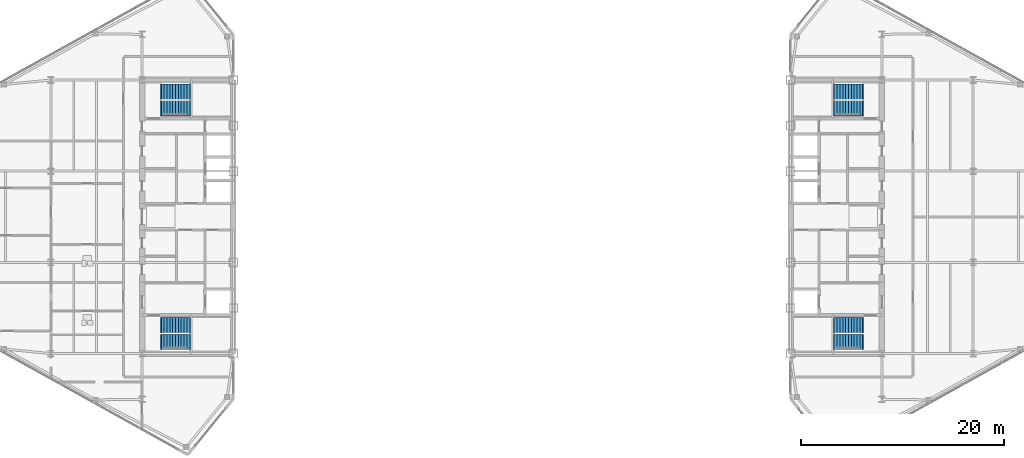
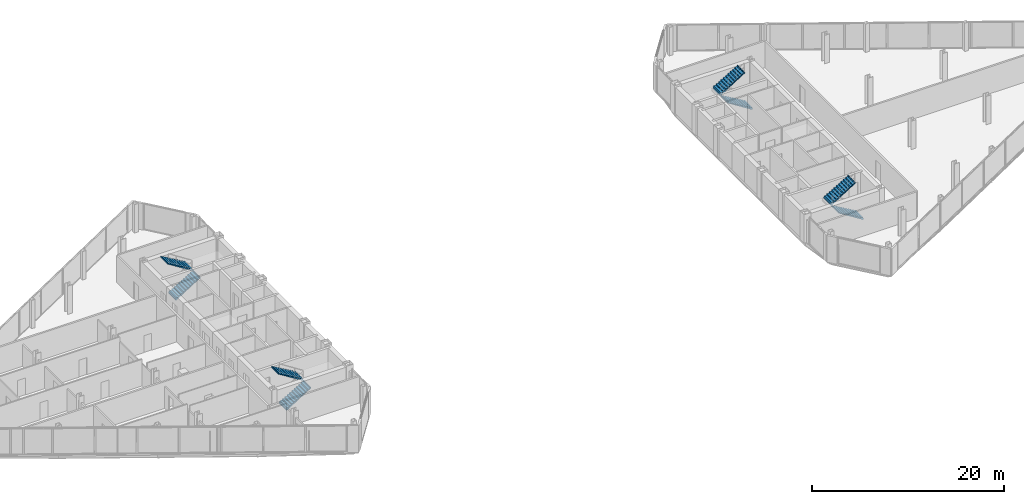
# One storey, part 24 of 26: 8 stair flights, 4 elements without a shape of their own.
"""IFC4 building model written with IfcOpenShell, lengths in metres."""

import ifcopenshell
import ifcopenshell.guid

model = None  # the IFC model being written
_history = None  # IfcOwnerHistory: only IFC2X3 demands one
_inside = {}  # id of a spatial element -> (the spatial element, [elements in it])
_under = {}  # id of a project, library or spatial element -> (it, [spatial elements below it])
_declared = {}  # id of a project -> (the project, [libraries it declares])
_typed = {}  # id of a type object -> (the type object, [elements of that type])
_made_of = {}  # id of a material, layer set ... -> (it, [elements and type objects made of it])


def new_model(schema):
    """Start an empty IFC model of exactly this schema.

    Asked for "IFC4X3", IfcOpenShell would pick the latest addendum, in which some entities
    have other attributes; the version numbers below select the first issue.
    IFC2X3 requires an IfcOwnerHistory on every rooted entity: one is made here for all.
    """
    global model, _history
    if schema == "IFC4X3":
        model = ifcopenshell.file(schema_version=(4, 3, 0, 0))
    else:
        model = ifcopenshell.file(schema=schema)
    _inside.clear()
    _under.clear()
    _declared.clear()
    _typed.clear()
    _made_of.clear()
    _history = None
    if model.schema == "IFC2X3":
        org = make("IfcOrganization", Name="unknown")
        user = make(
            "IfcPersonAndOrganization",
            ThePerson=make("IfcPerson", FamilyName="unknown"),
            TheOrganization=org,
        )
        app = make(
            "IfcApplication",
            ApplicationDeveloper=org,
            Version="unknown",
            ApplicationFullName="unknown",
            ApplicationIdentifier="unknown",
        )
        _history = make(
            "IfcOwnerHistory",
            OwningUser=user,
            OwningApplication=app,
            ChangeAction="ADDED",
            CreationDate=0,
        )
    return model


def make(cls, **values):
    """One entity of the class cls with the attributes given. An attribute that is None is left unset."""
    return model.create_entity(
        cls, **{name: value for name, value in values.items() if value is not None}
    )


def rooted(cls, **values):
    """An entity with a GlobalId (a new one), such as an element, a storey or a relation."""
    return make(cls, GlobalId=ifcopenshell.guid.new(), OwnerHistory=_history, **values)


def si_unit(unit_type, name, prefix=None):
    """IfcSIUnit, for example si_unit("LENGTHUNIT", "METRE", prefix="MILLI")."""
    return make("IfcSIUnit", UnitType=unit_type, Prefix=prefix, Name=name)


def assignment(units):
    """IfcUnitAssignment: the units of a project."""
    return None if units is None else make("IfcUnitAssignment", Units=units)


def point(xyz):
    """IfcCartesianPoint."""
    return None if xyz is None else make("IfcCartesianPoint", Coordinates=xyz)


def direction(xyz):
    """IfcDirection."""
    return None if xyz is None else make("IfcDirection", DirectionRatios=xyz)


def frame(location, z_axis=None, x_axis=None):
    """IfcAxis2Placement3D, a coordinate frame: its origin and axes. An axis left out is left unset."""
    return make(
        "IfcAxis2Placement3D",
        Location=point(location),
        Axis=direction(z_axis),
        RefDirection=direction(x_axis),
    )


def origin():
    """The frame at (0, 0, 0) with its axes left unset."""
    return frame((0.0, 0.0, 0.0))


def place(relative_to, where):
    """IfcLocalPlacement: puts the frame where relative to a parent placement (None: the world)."""
    return make(
        "IfcLocalPlacement", PlacementRelTo=relative_to, RelativePlacement=where
    )


def context(
    kind, dimensions, precision=None, world=None, true_north=None, identifier=None
):
    """IfcGeometricRepresentationContext, for example the 3D "Model" context."""
    return make(
        "IfcGeometricRepresentationContext",
        ContextIdentifier=identifier,
        ContextType=kind,
        CoordinateSpaceDimension=dimensions,
        Precision=precision,
        WorldCoordinateSystem=world,
        TrueNorth=true_north,
    )


def subcontext(parent, identifier, kind, view, scale=None):
    """IfcGeometricRepresentationSubContext, for example "Body" below "Model"."""
    return make(
        "IfcGeometricRepresentationSubContext",
        ContextIdentifier=identifier,
        ContextType=kind,
        ParentContext=parent,
        TargetScale=scale,
        TargetView=view,
    )


def project(units=None, contexts=None):
    """IfcProject with its units and contexts."""
    return rooted(
        "IfcProject",
        Name="project",
        RepresentationContexts=contexts,
        UnitsInContext=assignment(units),
    )


def spatial(cls, under=None, at=None, **own):
    """A site, building, storey or space (cls), placed at a placement, below another one or the project."""
    s = rooted(cls, ObjectPlacement=at, **own)
    if under is not None:
        _under.setdefault(under.id(), (under, []))[1].append(s)
    return s


def polyline(points):
    """IfcPolyline through the points."""
    return make("IfcPolyline", Points=[point(p) for p in points])


def outline(outer, holes=None, kind="AREA"):
    """IfcArbitraryClosedProfileDef: a profile drawn as a closed curve; with holes, ...WithVoids."""
    if holes is None:
        return make("IfcArbitraryClosedProfileDef", ProfileType=kind, OuterCurve=outer)
    return make(
        "IfcArbitraryProfileDefWithVoids",
        ProfileType=kind,
        OuterCurve=outer,
        InnerCurves=holes,
    )


def extrude(swept, where, along, depth):
    """IfcExtrudedAreaSolid: the profile swept, set in the frame where, extruded along a direction by depth."""
    return make(
        "IfcExtrudedAreaSolid",
        SweptArea=swept,
        Position=where,
        ExtrudedDirection=direction(along),
        Depth=depth,
    )


def shape(context_of_items, identifier, shape_type, items):
    """IfcShapeRepresentation: the items that make up one representation, for example the "Body"."""
    return make(
        "IfcShapeRepresentation",
        ContextOfItems=context_of_items,
        RepresentationIdentifier=identifier,
        RepresentationType=shape_type,
        Items=items,
    )


def material(Name=None, Category=None):
    """IfcMaterial."""
    return make("IfcMaterial", Name=Name, Category=Category)


def made_of(thing, what):
    """Note that an element or type object is made of a material, layer set ...; save() writes the relation."""
    if what is not None:
        _made_of.setdefault(what.id(), (what, []))[1].append(thing)
    return thing


def type_object(cls, material=None, **own):
    """A type object (cls), such as IfcWallType, which elements share."""
    return made_of(rooted(cls, **own), material)


def element(
    cls,
    number,
    at=None,
    inside=None,
    cuts=None,
    type_object=None,
    material=None,
    context=None,
    identifier="Body",
    shape_type=None,
    held_by="IfcProductDefinitionShape",
    body=None,
    shapes=None,
    **own,
):
    """One element of the class cls, such as IfcWall. Its Tag is "e" and its number.

    at: its placement. inside: the storey or other place that contains it. cuts: it is an
    opening in that element (IfcRelVoidsElement). A single representation is given by context,
    identifier, shape_type and body (its items); several are given by shapes. held_by: the class
    of the entity that holds the representations. save() writes the other relations.
    """
    e = rooted(cls, Tag="e%d" % number, ObjectPlacement=at, **own)
    if body is not None:
        shapes = [shape(context, identifier, shape_type, body)]
    if shapes is not None:
        e.Representation = make(held_by, Representations=shapes)
    if inside is not None:
        _inside.setdefault(inside.id(), (inside, []))[1].append(e)
    if cuts is not None:
        rooted(
            "IfcRelVoidsElement", RelatingBuildingElement=cuts, RelatedOpeningElement=e
        )
    if type_object is not None:
        _typed.setdefault(type_object.id(), (type_object, []))[1].append(e)
    return made_of(e, material)


def aggregate(whole, parts):
    """IfcRelAggregates: a whole, such as a stair, and the parts it consists of."""
    return rooted("IfcRelAggregates", RelatingObject=whole, RelatedObjects=parts)


def save(model, path):
    """Write the relations noted so far, then the file.

    IfcRelAggregates (storeys below a building ...), IfcRelContainedInSpatialStructure (elements
    in a storey), IfcRelDefinesByType, IfcRelAssociatesMaterial and IfcRelDeclares: one each for
    every whole, place, type object, material and project.
    """
    for whole, parts in _under.values():
        aggregate(whole, parts)
    for where, things in _inside.values():
        rooted(
            "IfcRelContainedInSpatialStructure",
            RelatedElements=things,
            RelatingStructure=where,
        )
    for kind, things in _typed.values():
        rooted("IfcRelDefinesByType", RelatedObjects=things, RelatingType=kind)
    for what, things in _made_of.values():
        rooted("IfcRelAssociatesMaterial", RelatedObjects=things, RelatingMaterial=what)
    for by, libraries in _declared.values():
        rooted("IfcRelDeclares", RelatingContext=by, RelatedDefinitions=libraries)
    model.write(path)


model = new_model("IFC4")

# Units and contexts
model_context = context("Model", 3, precision=1e-05, world=origin(), true_north=direction((0.0, 1.0)))
body_context = subcontext(model_context, "Body", "Model", "MODEL_VIEW")
ifc_project = project(units=[si_unit("LENGTHUNIT", "METRE"), si_unit("AREAUNIT", "SQUARE_METRE"), si_unit("VOLUMEUNIT", "CUBIC_METRE"), si_unit("PLANEANGLEUNIT", "RADIAN"), si_unit("MASSUNIT", "GRAM", prefix="KILO")], contexts=[model_context])

# Site, building, storey
site_placement = place(None, origin())
site = spatial("IfcSite", under=ifc_project, at=site_placement, CompositionType="ELEMENT")
building_placement = place(site_placement, origin())
building = spatial("IfcBuilding", under=site, at=building_placement, Name="Seokmaru Belvedere", CompositionType="ELEMENT")
storey_placement = place(building_placement, frame((0.0, 0.0, 181.5)))
storey = spatial("IfcBuildingStorey", under=building, at=storey_placement, Name="L48", CompositionType="ELEMENT", Elevation=181.5)

# Stair, stair flights
ifc_material = material(Name="Concrete C40 (40 MPa)", Category="concrete")
stair_type = type_object("IfcStairType", Name="Typical Tower Core Dog-Leg Stair 3600", PredefinedType="TWO_STRAIGHT_RUN_STAIR", material=ifc_material)
stair_1_placement = place(storey_placement, origin())
stair_1 = element("IfcStair", 1, at=stair_1_placement, inside=storey, type_object=stair_type, Name="L48 Special Escape Stair ST-W1", PredefinedType="TWO_STRAIGHT_RUN_STAIR")
stair_flight_type = type_object("IfcStairFlightType", Name="Reinforced Concrete Stair Flight 1500", PredefinedType="STRAIGHT", material=ifc_material)
stair_flight_1_placement = place(storey_placement, frame((-34.60009765625, -12.35009765625, 0.0), z_axis=(0.0, 0.0, 1.0), x_axis=(1.0, 0.0, 0.0)))
stair_flight_1 = element("IfcStairFlight", 2, at=stair_flight_1_placement, type_object=stair_flight_type, Name="ST-W1 flight 1", NumberOfRisers=11, NumberOfTreads=10, PredefinedType="STRAIGHT", RiserHeight=0.163636364, TreadLength=0.28, context=body_context, shape_type="SweptSolid", body=[
    extrude(outline(polyline([(-0.080078125, 0.0), (0.0, 0.16357421875), (0.280029296875, 0.16357421875), (0.280029296875, 0.327392578125), (0.56005859375, 0.327392578125), (0.56005859375, 0.490966796875), (0.840087890625, 0.490966796875), (0.840087890625, 0.654541015625), (1.1201171875, 0.654541015625), (1.1201171875, 0.818115234375), (1.39990234375, 0.818115234375), (1.39990234375, 0.98193359375), (1.679931640625, 0.98193359375), (1.679931640625, 1.1455078125), (1.9599609375, 1.1455078125), (1.9599609375, 1.30908203125), (2.239990234375, 1.30908203125), (2.239990234375, 1.47265625), (2.52001953125, 1.47265625), (2.52001953125, 1.636474609375), (2.800048828125, 1.636474609375), (2.800048828125, 1.800048828125), (2.8798828125, 1.800048828125), (2.8798828125, 1.610107421875), (2.800048828125, 1.610107421875), (0.0, -0.159912109375), (-0.080078125, -0.159912109375), (-0.080078125, 0.0)])), frame((0.0, 0.75, 0.0), z_axis=(0.0, -1.0, 0.0), x_axis=(1.0, 0.0, 0.0)), (0.0, 0.0, 1.0), 1.5),
])
stair_flight_2_placement = place(storey_placement, frame((-31.800048828125, -10.7099609375, 1.800048828125), z_axis=(0.0, 0.0, 1.0), x_axis=(-1.0, 0.0, 0.0)))
stair_flight_2 = element("IfcStairFlight", 3, at=stair_flight_2_placement, type_object=stair_flight_type, Name="ST-W1 flight 2", NumberOfRisers=11, NumberOfTreads=10, PredefinedType="STRAIGHT", RiserHeight=0.163636364, TreadLength=0.28, context=body_context, shape_type="SweptSolid", body=[
    extrude(outline(polyline([(-0.080078125, 0.0), (0.0, 0.16357421875), (0.280029296875, 0.16357421875), (0.280029296875, 0.327392578125), (0.56005859375, 0.327392578125), (0.56005859375, 0.490966796875), (0.840087890625, 0.490966796875), (0.840087890625, 0.654541015625), (1.1201171875, 0.654541015625), (1.1201171875, 0.818115234375), (1.39990234375, 0.818115234375), (1.39990234375, 0.98193359375), (1.679931640625, 0.98193359375), (1.679931640625, 1.1455078125), (1.9599609375, 1.1455078125), (1.9599609375, 1.30908203125), (2.239990234375, 1.30908203125), (2.239990234375, 1.47265625), (2.52001953125, 1.47265625), (2.52001953125, 1.636474609375), (2.800048828125, 1.636474609375), (2.800048828125, 1.800048828125), (2.8798828125, 1.800048828125), (2.8798828125, 1.610107421875), (2.800048828125, 1.610107421875), (0.0, -0.159912109375), (-0.080078125, -0.159912109375), (-0.080078125, 0.0)])), frame((0.0, 0.75, 0.0), z_axis=(0.0, -1.0, 0.0), x_axis=(1.0, 0.0, 0.0)), (0.0, 0.0, 1.0), 1.5),
])
aggregate(stair_1, [stair_flight_1, stair_flight_2])

stair_2_placement = place(storey_placement, origin())
stair_2 = element("IfcStair", 4, at=stair_2_placement, inside=storey, type_object=stair_type, Name="L48 Special Escape Stair ST-W2", PredefinedType="TWO_STRAIGHT_RUN_STAIR")
stair_flight_3_placement = place(storey_placement, frame((-34.60009765625, 10.7099609375, 0.0), z_axis=(0.0, 0.0, 1.0), x_axis=(1.0, 0.0, 0.0)))
stair_flight_3 = element("IfcStairFlight", 5, at=stair_flight_3_placement, type_object=stair_flight_type, Name="ST-W2 flight 1", NumberOfRisers=11, NumberOfTreads=10, PredefinedType="STRAIGHT", RiserHeight=0.163636364, TreadLength=0.28, context=body_context, shape_type="SweptSolid", body=[
    extrude(outline(polyline([(-0.080078125, 0.0), (0.0, 0.16357421875), (0.280029296875, 0.16357421875), (0.280029296875, 0.327392578125), (0.56005859375, 0.327392578125), (0.56005859375, 0.490966796875), (0.840087890625, 0.490966796875), (0.840087890625, 0.654541015625), (1.1201171875, 0.654541015625), (1.1201171875, 0.818115234375), (1.39990234375, 0.818115234375), (1.39990234375, 0.98193359375), (1.679931640625, 0.98193359375), (1.679931640625, 1.1455078125), (1.9599609375, 1.1455078125), (1.9599609375, 1.30908203125), (2.239990234375, 1.30908203125), (2.239990234375, 1.47265625), (2.52001953125, 1.47265625), (2.52001953125, 1.636474609375), (2.800048828125, 1.636474609375), (2.800048828125, 1.800048828125), (2.8798828125, 1.800048828125), (2.8798828125, 1.610107421875), (2.800048828125, 1.610107421875), (0.0, -0.159912109375), (-0.080078125, -0.159912109375), (-0.080078125, 0.0)])), frame((0.0, 0.75, 0.0), z_axis=(0.0, -1.0, 0.0), x_axis=(1.0, 0.0, 0.0)), (0.0, 0.0, 1.0), 1.5),
])
stair_flight_4_placement = place(storey_placement, frame((-31.800048828125, 12.35009765625, 1.800048828125), z_axis=(0.0, 0.0, 1.0), x_axis=(-1.0, 0.0, 0.0)))
stair_flight_4 = element("IfcStairFlight", 6, at=stair_flight_4_placement, type_object=stair_flight_type, Name="ST-W2 flight 2", NumberOfRisers=11, NumberOfTreads=10, PredefinedType="STRAIGHT", RiserHeight=0.163636364, TreadLength=0.28, context=body_context, shape_type="SweptSolid", body=[
    extrude(outline(polyline([(-0.080078125, 0.0), (0.0, 0.16357421875), (0.280029296875, 0.16357421875), (0.280029296875, 0.327392578125), (0.56005859375, 0.327392578125), (0.56005859375, 0.490966796875), (0.840087890625, 0.490966796875), (0.840087890625, 0.654541015625), (1.1201171875, 0.654541015625), (1.1201171875, 0.818115234375), (1.39990234375, 0.818115234375), (1.39990234375, 0.98193359375), (1.679931640625, 0.98193359375), (1.679931640625, 1.1455078125), (1.9599609375, 1.1455078125), (1.9599609375, 1.30908203125), (2.239990234375, 1.30908203125), (2.239990234375, 1.47265625), (2.52001953125, 1.47265625), (2.52001953125, 1.636474609375), (2.800048828125, 1.636474609375), (2.800048828125, 1.800048828125), (2.8798828125, 1.800048828125), (2.8798828125, 1.610107421875), (2.800048828125, 1.610107421875), (0.0, -0.159912109375), (-0.080078125, -0.159912109375), (-0.080078125, 0.0)])), frame((0.0, 0.75, 0.0), z_axis=(0.0, -1.0, 0.0), x_axis=(1.0, 0.0, 0.0)), (0.0, 0.0, 1.0), 1.5),
])
aggregate(stair_2, [stair_flight_3, stair_flight_4])

stair_3_placement = place(storey_placement, origin())
stair_3 = element("IfcStair", 7, at=stair_3_placement, inside=storey, type_object=stair_type, Name="L48 Special Escape Stair ST-E1", PredefinedType="TWO_STRAIGHT_RUN_STAIR")
stair_flight_5_placement = place(storey_placement, frame((34.60009765625, -12.35009765625, 0.0), z_axis=(0.0, 0.0, 1.0), x_axis=(-1.0, 0.0, 0.0)))
stair_flight_5 = element("IfcStairFlight", 8, at=stair_flight_5_placement, type_object=stair_flight_type, Name="ST-E1 flight 1", NumberOfRisers=11, NumberOfTreads=10, PredefinedType="STRAIGHT", RiserHeight=0.163636364, TreadLength=0.28, context=body_context, shape_type="SweptSolid", body=[
    extrude(outline(polyline([(-0.080078125, 0.0), (0.0, 0.16357421875), (0.280029296875, 0.16357421875), (0.280029296875, 0.327392578125), (0.56005859375, 0.327392578125), (0.56005859375, 0.490966796875), (0.840087890625, 0.490966796875), (0.840087890625, 0.654541015625), (1.1201171875, 0.654541015625), (1.1201171875, 0.818115234375), (1.39990234375, 0.818115234375), (1.39990234375, 0.98193359375), (1.679931640625, 0.98193359375), (1.679931640625, 1.1455078125), (1.9599609375, 1.1455078125), (1.9599609375, 1.30908203125), (2.239990234375, 1.30908203125), (2.239990234375, 1.47265625), (2.52001953125, 1.47265625), (2.52001953125, 1.636474609375), (2.800048828125, 1.636474609375), (2.800048828125, 1.800048828125), (2.8798828125, 1.800048828125), (2.8798828125, 1.610107421875), (2.800048828125, 1.610107421875), (0.0, -0.159912109375), (-0.080078125, -0.159912109375), (-0.080078125, 0.0)])), frame((0.0, 0.75, 0.0), z_axis=(0.0, -1.0, 0.0), x_axis=(1.0, 0.0, 0.0)), (0.0, 0.0, 1.0), 1.5),
])
stair_flight_6_placement = place(storey_placement, frame((31.800048828125, -10.7099609375, 1.800048828125), z_axis=(0.0, 0.0, 1.0), x_axis=(1.0, 0.0, 0.0)))
stair_flight_6 = element("IfcStairFlight", 9, at=stair_flight_6_placement, type_object=stair_flight_type, Name="ST-E1 flight 2", NumberOfRisers=11, NumberOfTreads=10, PredefinedType="STRAIGHT", RiserHeight=0.163636364, TreadLength=0.28, context=body_context, shape_type="SweptSolid", body=[
    extrude(outline(polyline([(-0.080078125, 0.0), (0.0, 0.16357421875), (0.280029296875, 0.16357421875), (0.280029296875, 0.327392578125), (0.56005859375, 0.327392578125), (0.56005859375, 0.490966796875), (0.840087890625, 0.490966796875), (0.840087890625, 0.654541015625), (1.1201171875, 0.654541015625), (1.1201171875, 0.818115234375), (1.39990234375, 0.818115234375), (1.39990234375, 0.98193359375), (1.679931640625, 0.98193359375), (1.679931640625, 1.1455078125), (1.9599609375, 1.1455078125), (1.9599609375, 1.30908203125), (2.239990234375, 1.30908203125), (2.239990234375, 1.47265625), (2.52001953125, 1.47265625), (2.52001953125, 1.636474609375), (2.800048828125, 1.636474609375), (2.800048828125, 1.800048828125), (2.8798828125, 1.800048828125), (2.8798828125, 1.610107421875), (2.800048828125, 1.610107421875), (0.0, -0.159912109375), (-0.080078125, -0.159912109375), (-0.080078125, 0.0)])), frame((0.0, 0.75, 0.0), z_axis=(0.0, -1.0, 0.0), x_axis=(1.0, 0.0, 0.0)), (0.0, 0.0, 1.0), 1.5),
])
aggregate(stair_3, [stair_flight_5, stair_flight_6])

stair_4_placement = place(storey_placement, origin())
stair_4 = element("IfcStair", 10, at=stair_4_placement, inside=storey, type_object=stair_type, Name="L48 Special Escape Stair ST-E2", PredefinedType="TWO_STRAIGHT_RUN_STAIR")
stair_flight_7_placement = place(storey_placement, frame((34.60009765625, 10.7099609375, 0.0), z_axis=(0.0, 0.0, 1.0), x_axis=(-1.0, 0.0, 0.0)))
stair_flight_7 = element("IfcStairFlight", 11, at=stair_flight_7_placement, type_object=stair_flight_type, Name="ST-E2 flight 1", NumberOfRisers=11, NumberOfTreads=10, PredefinedType="STRAIGHT", RiserHeight=0.163636364, TreadLength=0.28, context=body_context, shape_type="SweptSolid", body=[
    extrude(outline(polyline([(-0.080078125, 0.0), (0.0, 0.16357421875), (0.280029296875, 0.16357421875), (0.280029296875, 0.327392578125), (0.56005859375, 0.327392578125), (0.56005859375, 0.490966796875), (0.840087890625, 0.490966796875), (0.840087890625, 0.654541015625), (1.1201171875, 0.654541015625), (1.1201171875, 0.818115234375), (1.39990234375, 0.818115234375), (1.39990234375, 0.98193359375), (1.679931640625, 0.98193359375), (1.679931640625, 1.1455078125), (1.9599609375, 1.1455078125), (1.9599609375, 1.30908203125), (2.239990234375, 1.30908203125), (2.239990234375, 1.47265625), (2.52001953125, 1.47265625), (2.52001953125, 1.636474609375), (2.800048828125, 1.636474609375), (2.800048828125, 1.800048828125), (2.8798828125, 1.800048828125), (2.8798828125, 1.610107421875), (2.800048828125, 1.610107421875), (0.0, -0.159912109375), (-0.080078125, -0.159912109375), (-0.080078125, 0.0)])), frame((0.0, 0.75, 0.0), z_axis=(0.0, -1.0, 0.0), x_axis=(1.0, 0.0, 0.0)), (0.0, 0.0, 1.0), 1.5),
])
stair_flight_8_placement = place(storey_placement, frame((31.800048828125, 12.35009765625, 1.800048828125), z_axis=(0.0, 0.0, 1.0), x_axis=(1.0, 0.0, 0.0)))
stair_flight_8 = element("IfcStairFlight", 12, at=stair_flight_8_placement, type_object=stair_flight_type, Name="ST-E2 flight 2", NumberOfRisers=11, NumberOfTreads=10, PredefinedType="STRAIGHT", RiserHeight=0.163636364, TreadLength=0.28, context=body_context, shape_type="SweptSolid", body=[
    extrude(outline(polyline([(-0.080078125, 0.0), (0.0, 0.16357421875), (0.280029296875, 0.16357421875), (0.280029296875, 0.327392578125), (0.56005859375, 0.327392578125), (0.56005859375, 0.490966796875), (0.840087890625, 0.490966796875), (0.840087890625, 0.654541015625), (1.1201171875, 0.654541015625), (1.1201171875, 0.818115234375), (1.39990234375, 0.818115234375), (1.39990234375, 0.98193359375), (1.679931640625, 0.98193359375), (1.679931640625, 1.1455078125), (1.9599609375, 1.1455078125), (1.9599609375, 1.30908203125), (2.239990234375, 1.30908203125), (2.239990234375, 1.47265625), (2.52001953125, 1.47265625), (2.52001953125, 1.636474609375), (2.800048828125, 1.636474609375), (2.800048828125, 1.800048828125), (2.8798828125, 1.800048828125), (2.8798828125, 1.610107421875), (2.800048828125, 1.610107421875), (0.0, -0.159912109375), (-0.080078125, -0.159912109375), (-0.080078125, 0.0)])), frame((0.0, 0.75, 0.0), z_axis=(0.0, -1.0, 0.0), x_axis=(1.0, 0.0, 0.0)), (0.0, 0.0, 1.0), 1.5),
])
aggregate(stair_4, [stair_flight_7, stair_flight_8])

save(model, "model.ifc")
